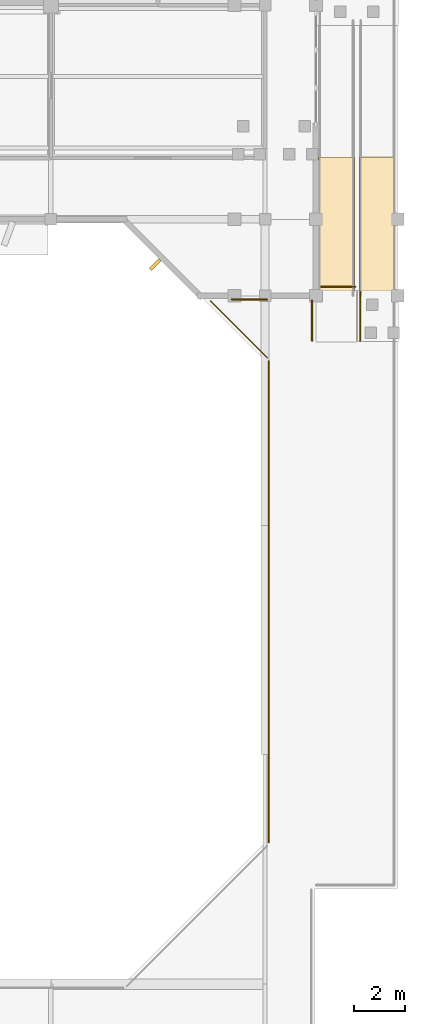
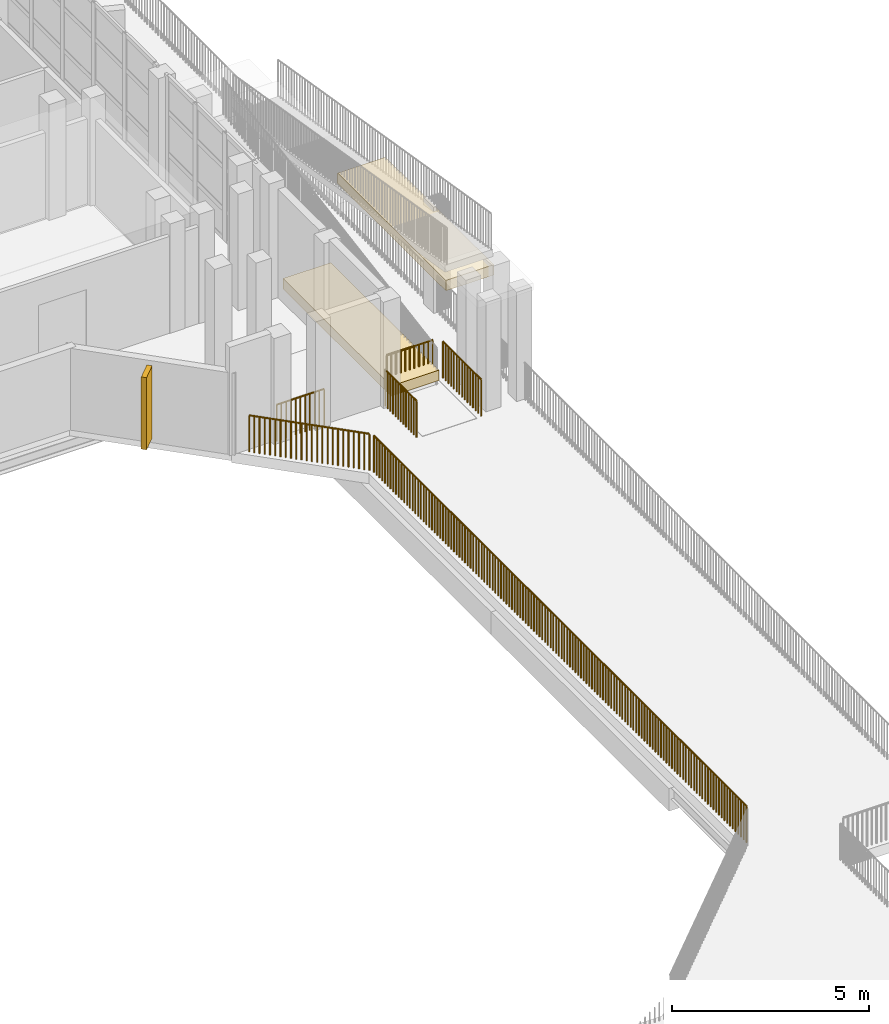
# One storey, part 39 of 42: 6 railings, 2 coverings, 1 shading device.
"""IFC4 building model written with IfcOpenShell, lengths in metres."""

from ifc_helpers import new_model, si_unit, direction, frame, origin, origin_2d, place, context, subcontext, project, spatial, rectangle, circle, extrude, material, layer, layer_set, type_object, element, save


model = new_model("IFC4")

# Units and contexts
model_context = context("Model", 3, precision=1e-05, world=origin(), true_north=direction((0.0, 1.0)))
body_context = subcontext(model_context, "Body", "Model", "MODEL_VIEW")
ifc_project = project(units=[si_unit("LENGTHUNIT", "METRE"), si_unit("AREAUNIT", "SQUARE_METRE"), si_unit("VOLUMEUNIT", "CUBIC_METRE"), si_unit("PLANEANGLEUNIT", "RADIAN"), si_unit("MASSUNIT", "GRAM", prefix="KILO")], contexts=[model_context])

# Site, building, storey
site_placement = place(None, origin())
site = spatial("IfcSite", under=ifc_project, at=site_placement, CompositionType="ELEMENT")
building_placement = place(site_placement, origin())
building = spatial("IfcBuilding", under=site, at=building_placement, Name="Vanh Quang Courtyard School", CompositionType="ELEMENT")
storey_placement = place(building_placement, frame((0.0, 0.0, 15.0)))
storey = spatial("IfcBuildingStorey", under=building, at=storey_placement, Name="L04", CompositionType="ELEMENT", Elevation=15.0)

# Coverings
ifc_material_1 = material(Name="Board-marked precast concrete C40/50", Category="concrete")
ifc_layer = layer(ifc_material_1, 0.239990234375)
ifc_layer_set = layer_set([ifc_layer], Name="Board-marked precast concrete C40/50")
covering_type = type_object("IfcCoveringType", Name="COV-HOOD-CONC", PredefinedType="CLADDING", material=ifc_layer_set)
for number, where, z_axis, x_axis, name in (
    (1, (113.800048828125, 71.10009765625, 0.1298828125), (0.0, 0.0, 1.0), (1.0, 0.0, 0.0), "Covering CH-01 (L04)"),
    (2, (115.39990234375, 71.10009765625, 2.830078125), (0.0, 0.0, 1.0), (1.0, 0.0, 0.0), "Covering CH-01 (L04)"),
):
    element("IfcCovering", number, at=place(storey_placement, frame(where, z_axis=z_axis, x_axis=x_axis)), inside=storey, type_object=covering_type, Name=name, PredefinedType="CLADDING", context=body_context, shape_type="SweptSolid", body=[
        extrude(rectangle(XDim=1.39990234375, YDim=5.47998046875, at=origin_2d()), origin(), (0.0, 0.0, 1.0), 0.320068359375),
    ])

# Railings
ifc_material_2 = material(Name="Galvanised painted steel EN 10025-2 S355J2", Category="steel")
railing_type = type_object("IfcRailingType", Name="RAIL-GUARD-1150", PredefinedType="BALUSTRADE", material=ifc_material_2)
railing_1_placement = place(storey_placement, frame((111.139892578125, 46.964599609375, 0.0)))
element("IfcRailing", 3, at=railing_1_placement, inside=storey, type_object=railing_type, Name="Railing GR-01 (L04)", PredefinedType="BALUSTRADE", context=body_context, shape_type="SweptSolid", body=[
    extrude(circle(Radius=0.02392578125, at=origin_2d()), frame((0.0, 0.0, 1.1259765625), z_axis=(0.0, 1.0, 0.0), x_axis=(-1.0, 0.0, 0.0)), (0.0, 0.0, 1.0), 18.87060546875),
    extrude(circle(Radius=0.02099609375, at=origin_2d()), origin(), (0.0, 0.0, 1.0), 1.101806640625),
    extrude(circle(Radius=0.02099609375, at=origin_2d()), frame((0.0, 0.139892578125, 0.0)), (0.0, 0.0, 1.0), 1.101806640625),
    extrude(circle(Radius=0.02099609375, at=origin_2d()), frame((0.0, 0.279541015625, 0.0)), (0.0, 0.0, 1.0), 1.101806640625),
    extrude(circle(Radius=0.02099609375, at=origin_2d()), frame((0.0, 0.41943359375, 0.0)), (0.0, 0.0, 1.0), 1.101806640625),
    extrude(circle(Radius=0.02099609375, at=origin_2d()), frame((0.0, 0.55908203125, 0.0)), (0.0, 0.0, 1.0), 1.101806640625),
    extrude(circle(Radius=0.02099609375, at=origin_2d()), frame((0.0, 0.698974609375, 0.0)), (0.0, 0.0, 1.0), 1.101806640625),
    extrude(circle(Radius=0.02099609375, at=origin_2d()), frame((0.0, 0.838623046875, 0.0)), (0.0, 0.0, 1.0), 1.101806640625),
    extrude(circle(Radius=0.02099609375, at=origin_2d()), frame((0.0, 0.978515625, 0.0)), (0.0, 0.0, 1.0), 1.101806640625),
    extrude(circle(Radius=0.02099609375, at=origin_2d()), frame((0.0, 1.1181640625, 0.0)), (0.0, 0.0, 1.0), 1.101806640625),
    extrude(circle(Radius=0.02099609375, at=origin_2d()), frame((0.0, 1.258056640625, 0.0)), (0.0, 0.0, 1.0), 1.101806640625),
    extrude(circle(Radius=0.02099609375, at=origin_2d()), frame((0.0, 1.397705078125, 0.0)), (0.0, 0.0, 1.0), 1.101806640625),
    extrude(circle(Radius=0.02099609375, at=origin_2d()), frame((0.0, 1.53759765625, 0.0)), (0.0, 0.0, 1.0), 1.101806640625),
    extrude(circle(Radius=0.02099609375, at=origin_2d()), frame((0.0, 1.677490234375, 0.0)), (0.0, 0.0, 1.0), 1.101806640625),
    extrude(circle(Radius=0.02099609375, at=origin_2d()), frame((0.0, 1.817138671875, 0.0)), (0.0, 0.0, 1.0), 1.101806640625),
    extrude(circle(Radius=0.02099609375, at=origin_2d()), frame((0.0, 1.95703125, 0.0)), (0.0, 0.0, 1.0), 1.101806640625),
    extrude(circle(Radius=0.02099609375, at=origin_2d()), frame((0.0, 2.0966796875, 0.0)), (0.0, 0.0, 1.0), 1.101806640625),
    extrude(circle(Radius=0.02099609375, at=origin_2d()), frame((0.0, 2.236572265625, 0.0)), (0.0, 0.0, 1.0), 1.101806640625),
    extrude(circle(Radius=0.02099609375, at=origin_2d()), frame((0.0, 2.376220703125, 0.0)), (0.0, 0.0, 1.0), 1.101806640625),
    extrude(circle(Radius=0.02099609375, at=origin_2d()), frame((0.0, 2.51611328125, 0.0)), (0.0, 0.0, 1.0), 1.101806640625),
    extrude(circle(Radius=0.02099609375, at=origin_2d()), frame((0.0, 2.65576171875, 0.0)), (0.0, 0.0, 1.0), 1.101806640625),
    extrude(circle(Radius=0.02099609375, at=origin_2d()), frame((0.0, 2.795654296875, 0.0)), (0.0, 0.0, 1.0), 1.101806640625),
    extrude(circle(Radius=0.02099609375, at=origin_2d()), frame((0.0, 2.935546875, 0.0)), (0.0, 0.0, 1.0), 1.101806640625),
    extrude(circle(Radius=0.02099609375, at=origin_2d()), frame((0.0, 3.0751953125, 0.0)), (0.0, 0.0, 1.0), 1.101806640625),
    extrude(circle(Radius=0.02099609375, at=origin_2d()), frame((0.0, 3.215087890625, 0.0)), (0.0, 0.0, 1.0), 1.101806640625),
    extrude(circle(Radius=0.02099609375, at=origin_2d()), frame((0.0, 3.354736328125, 0.0)), (0.0, 0.0, 1.0), 1.101806640625),
    extrude(circle(Radius=0.02099609375, at=origin_2d()), frame((0.0, 3.49462890625, 0.0)), (0.0, 0.0, 1.0), 1.101806640625),
    extrude(circle(Radius=0.02099609375, at=origin_2d()), frame((0.0, 3.63427734375, 0.0)), (0.0, 0.0, 1.0), 1.101806640625),
    extrude(circle(Radius=0.02099609375, at=origin_2d()), frame((0.0, 3.774169921875, 0.0)), (0.0, 0.0, 1.0), 1.101806640625),
    extrude(circle(Radius=0.02099609375, at=origin_2d()), frame((0.0, 3.913818359375, 0.0)), (0.0, 0.0, 1.0), 1.101806640625),
    extrude(circle(Radius=0.02099609375, at=origin_2d()), frame((0.0, 4.0537109375, 0.0)), (0.0, 0.0, 1.0), 1.101806640625),
    extrude(circle(Radius=0.02099609375, at=origin_2d()), frame((0.0, 4.193359375, 0.0)), (0.0, 0.0, 1.0), 1.101806640625),
    extrude(circle(Radius=0.02099609375, at=origin_2d()), frame((0.0, 4.333251953125, 0.0)), (0.0, 0.0, 1.0), 1.101806640625),
    extrude(circle(Radius=0.02099609375, at=origin_2d()), frame((0.0, 4.47314453125, 0.0)), (0.0, 0.0, 1.0), 1.101806640625),
    extrude(circle(Radius=0.02099609375, at=origin_2d()), frame((0.0, 4.61279296875, 0.0)), (0.0, 0.0, 1.0), 1.101806640625),
    extrude(circle(Radius=0.02099609375, at=origin_2d()), frame((0.0, 4.752685546875, 0.0)), (0.0, 0.0, 1.0), 1.101806640625),
    extrude(circle(Radius=0.02099609375, at=origin_2d()), frame((0.0, 4.892333984375, 0.0)), (0.0, 0.0, 1.0), 1.101806640625),
    extrude(circle(Radius=0.02099609375, at=origin_2d()), frame((0.0, 5.0322265625, 0.0)), (0.0, 0.0, 1.0), 1.101806640625),
    extrude(circle(Radius=0.02099609375, at=origin_2d()), frame((0.0, 5.171875, 0.0)), (0.0, 0.0, 1.0), 1.101806640625),
    extrude(circle(Radius=0.02099609375, at=origin_2d()), frame((0.0, 5.311767578125, 0.0)), (0.0, 0.0, 1.0), 1.101806640625),
    extrude(circle(Radius=0.02099609375, at=origin_2d()), frame((0.0, 5.451416015625, 0.0)), (0.0, 0.0, 1.0), 1.101806640625),
    extrude(circle(Radius=0.02099609375, at=origin_2d()), frame((0.0, 5.59130859375, 0.0)), (0.0, 0.0, 1.0), 1.101806640625),
    extrude(circle(Radius=0.02099609375, at=origin_2d()), frame((0.0, 5.73095703125, 0.0)), (0.0, 0.0, 1.0), 1.101806640625),
    extrude(circle(Radius=0.02099609375, at=origin_2d()), frame((0.0, 5.870849609375, 0.0)), (0.0, 0.0, 1.0), 1.101806640625),
    extrude(circle(Radius=0.02099609375, at=origin_2d()), frame((0.0, 6.0107421875, 0.0)), (0.0, 0.0, 1.0), 1.101806640625),
    extrude(circle(Radius=0.02099609375, at=origin_2d()), frame((0.0, 6.150390625, 0.0)), (0.0, 0.0, 1.0), 1.101806640625),
    extrude(circle(Radius=0.02099609375, at=origin_2d()), frame((0.0, 6.290283203125, 0.0)), (0.0, 0.0, 1.0), 1.101806640625),
    extrude(circle(Radius=0.02099609375, at=origin_2d()), frame((0.0, 6.429931640625, 0.0)), (0.0, 0.0, 1.0), 1.101806640625),
    extrude(circle(Radius=0.02099609375, at=origin_2d()), frame((0.0, 6.56982421875, 0.0)), (0.0, 0.0, 1.0), 1.101806640625),
    extrude(circle(Radius=0.02099609375, at=origin_2d()), frame((0.0, 6.70947265625, 0.0)), (0.0, 0.0, 1.0), 1.101806640625),
    extrude(circle(Radius=0.02099609375, at=origin_2d()), frame((0.0, 6.849365234375, 0.0)), (0.0, 0.0, 1.0), 1.101806640625),
    extrude(circle(Radius=0.02099609375, at=origin_2d()), frame((0.0, 6.989013671875, 0.0)), (0.0, 0.0, 1.0), 1.101806640625),
    extrude(circle(Radius=0.02099609375, at=origin_2d()), frame((0.0, 7.12890625, 0.0)), (0.0, 0.0, 1.0), 1.101806640625),
    extrude(circle(Radius=0.02099609375, at=origin_2d()), frame((0.0, 7.268798828125, 0.0)), (0.0, 0.0, 1.0), 1.101806640625),
    extrude(circle(Radius=0.02099609375, at=origin_2d()), frame((0.0, 7.408447265625, 0.0)), (0.0, 0.0, 1.0), 1.101806640625),
    extrude(circle(Radius=0.02099609375, at=origin_2d()), frame((0.0, 7.54833984375, 0.0)), (0.0, 0.0, 1.0), 1.101806640625),
    extrude(circle(Radius=0.02099609375, at=origin_2d()), frame((0.0, 7.68798828125, 0.0)), (0.0, 0.0, 1.0), 1.101806640625),
    extrude(circle(Radius=0.02099609375, at=origin_2d()), frame((0.0, 7.827880859375, 0.0)), (0.0, 0.0, 1.0), 1.101806640625),
    extrude(circle(Radius=0.02099609375, at=origin_2d()), frame((0.0, 7.967529296875, 0.0)), (0.0, 0.0, 1.0), 1.101806640625),
    extrude(circle(Radius=0.02099609375, at=origin_2d()), frame((0.0, 8.107421875, 0.0)), (0.0, 0.0, 1.0), 1.101806640625),
    extrude(circle(Radius=0.02099609375, at=origin_2d()), frame((0.0, 8.2470703125, 0.0)), (0.0, 0.0, 1.0), 1.101806640625),
    extrude(circle(Radius=0.02099609375, at=origin_2d()), frame((0.0, 8.386962890625, 0.0)), (0.0, 0.0, 1.0), 1.101806640625),
    extrude(circle(Radius=0.02099609375, at=origin_2d()), frame((0.0, 8.526611328125, 0.0)), (0.0, 0.0, 1.0), 1.101806640625),
    extrude(circle(Radius=0.02099609375, at=origin_2d()), frame((0.0, 8.66650390625, 0.0)), (0.0, 0.0, 1.0), 1.101806640625),
    extrude(circle(Radius=0.02099609375, at=origin_2d()), frame((0.0, 8.806396484375, 0.0)), (0.0, 0.0, 1.0), 1.101806640625),
    extrude(circle(Radius=0.02099609375, at=origin_2d()), frame((0.0, 8.946044921875, 0.0)), (0.0, 0.0, 1.0), 1.101806640625),
    extrude(circle(Radius=0.02099609375, at=origin_2d()), frame((0.0, 9.0859375, 0.0)), (0.0, 0.0, 1.0), 1.101806640625),
    extrude(circle(Radius=0.02099609375, at=origin_2d()), frame((0.0, 9.2255859375, 0.0)), (0.0, 0.0, 1.0), 1.101806640625),
    extrude(circle(Radius=0.02099609375, at=origin_2d()), frame((0.0, 9.365478515625, 0.0)), (0.0, 0.0, 1.0), 1.101806640625),
    extrude(circle(Radius=0.02099609375, at=origin_2d()), frame((0.0, 9.505126953125, 0.0)), (0.0, 0.0, 1.0), 1.101806640625),
    extrude(circle(Radius=0.02099609375, at=origin_2d()), frame((0.0, 9.64501953125, 0.0)), (0.0, 0.0, 1.0), 1.101806640625),
    extrude(circle(Radius=0.02099609375, at=origin_2d()), frame((0.0, 9.78466796875, 0.0)), (0.0, 0.0, 1.0), 1.101806640625),
    extrude(circle(Radius=0.02099609375, at=origin_2d()), frame((0.0, 9.924560546875, 0.0)), (0.0, 0.0, 1.0), 1.101806640625),
    extrude(circle(Radius=0.02099609375, at=origin_2d()), frame((0.0, 10.064208984375, 0.0)), (0.0, 0.0, 1.0), 1.101806640625),
    extrude(circle(Radius=0.02099609375, at=origin_2d()), frame((0.0, 10.2041015625, 0.0)), (0.0, 0.0, 1.0), 1.101806640625),
    extrude(circle(Radius=0.02099609375, at=origin_2d()), frame((0.0, 10.343994140625, 0.0)), (0.0, 0.0, 1.0), 1.101806640625),
    extrude(circle(Radius=0.02099609375, at=origin_2d()), frame((0.0, 10.483642578125, 0.0)), (0.0, 0.0, 1.0), 1.101806640625),
    extrude(circle(Radius=0.02099609375, at=origin_2d()), frame((0.0, 10.62353515625, 0.0)), (0.0, 0.0, 1.0), 1.101806640625),
    extrude(circle(Radius=0.02099609375, at=origin_2d()), frame((0.0, 10.76318359375, 0.0)), (0.0, 0.0, 1.0), 1.101806640625),
    extrude(circle(Radius=0.02099609375, at=origin_2d()), frame((0.0, 10.903076171875, 0.0)), (0.0, 0.0, 1.0), 1.101806640625),
    extrude(circle(Radius=0.02099609375, at=origin_2d()), frame((0.0, 11.042724609375, 0.0)), (0.0, 0.0, 1.0), 1.101806640625),
    extrude(circle(Radius=0.02099609375, at=origin_2d()), frame((0.0, 11.1826171875, 0.0)), (0.0, 0.0, 1.0), 1.101806640625),
    extrude(circle(Radius=0.02099609375, at=origin_2d()), frame((0.0, 11.322265625, 0.0)), (0.0, 0.0, 1.0), 1.101806640625),
    extrude(circle(Radius=0.02099609375, at=origin_2d()), frame((0.0, 11.462158203125, 0.0)), (0.0, 0.0, 1.0), 1.101806640625),
    extrude(circle(Radius=0.02099609375, at=origin_2d()), frame((0.0, 11.601806640625, 0.0)), (0.0, 0.0, 1.0), 1.101806640625),
    extrude(circle(Radius=0.02099609375, at=origin_2d()), frame((0.0, 11.74169921875, 0.0)), (0.0, 0.0, 1.0), 1.101806640625),
    extrude(circle(Radius=0.02099609375, at=origin_2d()), frame((0.0, 11.881591796875, 0.0)), (0.0, 0.0, 1.0), 1.101806640625),
    extrude(circle(Radius=0.02099609375, at=origin_2d()), frame((0.0, 12.021240234375, 0.0)), (0.0, 0.0, 1.0), 1.101806640625),
    extrude(circle(Radius=0.02099609375, at=origin_2d()), frame((0.0, 12.1611328125, 0.0)), (0.0, 0.0, 1.0), 1.101806640625),
    extrude(circle(Radius=0.02099609375, at=origin_2d()), frame((0.0, 12.30078125, 0.0)), (0.0, 0.0, 1.0), 1.101806640625),
    extrude(circle(Radius=0.02099609375, at=origin_2d()), frame((0.0, 12.440673828125, 0.0)), (0.0, 0.0, 1.0), 1.101806640625),
    extrude(circle(Radius=0.02099609375, at=origin_2d()), frame((0.0, 12.580322265625, 0.0)), (0.0, 0.0, 1.0), 1.101806640625),
    extrude(circle(Radius=0.02099609375, at=origin_2d()), frame((0.0, 12.72021484375, 0.0)), (0.0, 0.0, 1.0), 1.101806640625),
    extrude(circle(Radius=0.02099609375, at=origin_2d()), frame((0.0, 12.85986328125, 0.0)), (0.0, 0.0, 1.0), 1.101806640625),
    extrude(circle(Radius=0.02099609375, at=origin_2d()), frame((0.0, 12.999755859375, 0.0)), (0.0, 0.0, 1.0), 1.101806640625),
    extrude(circle(Radius=0.02099609375, at=origin_2d()), frame((0.0, 13.1396484375, 0.0)), (0.0, 0.0, 1.0), 1.101806640625),
    extrude(circle(Radius=0.02099609375, at=origin_2d()), frame((0.0, 13.279296875, 0.0)), (0.0, 0.0, 1.0), 1.101806640625),
    extrude(circle(Radius=0.02099609375, at=origin_2d()), frame((0.0, 13.419189453125, 0.0)), (0.0, 0.0, 1.0), 1.101806640625),
    extrude(circle(Radius=0.02099609375, at=origin_2d()), frame((0.0, 13.558837890625, 0.0)), (0.0, 0.0, 1.0), 1.101806640625),
    extrude(circle(Radius=0.02099609375, at=origin_2d()), frame((0.0, 13.69873046875, 0.0)), (0.0, 0.0, 1.0), 1.101806640625),
    extrude(circle(Radius=0.02099609375, at=origin_2d()), frame((0.0, 13.83837890625, 0.0)), (0.0, 0.0, 1.0), 1.101806640625),
    extrude(circle(Radius=0.02099609375, at=origin_2d()), frame((0.0, 13.978271484375, 0.0)), (0.0, 0.0, 1.0), 1.101806640625),
    extrude(circle(Radius=0.02099609375, at=origin_2d()), frame((0.0, 14.117919921875, 0.0)), (0.0, 0.0, 1.0), 1.101806640625),
    extrude(circle(Radius=0.02099609375, at=origin_2d()), frame((0.0, 14.2578125, 0.0)), (0.0, 0.0, 1.0), 1.101806640625),
    extrude(circle(Radius=0.02099609375, at=origin_2d()), frame((0.0, 14.3974609375, 0.0)), (0.0, 0.0, 1.0), 1.101806640625),
    extrude(circle(Radius=0.02099609375, at=origin_2d()), frame((0.0, 14.537353515625, 0.0)), (0.0, 0.0, 1.0), 1.101806640625),
    extrude(circle(Radius=0.02099609375, at=origin_2d()), frame((0.0, 14.67724609375, 0.0)), (0.0, 0.0, 1.0), 1.101806640625),
    extrude(circle(Radius=0.02099609375, at=origin_2d()), frame((0.0, 14.81689453125, 0.0)), (0.0, 0.0, 1.0), 1.101806640625),
    extrude(circle(Radius=0.02099609375, at=origin_2d()), frame((0.0, 14.956787109375, 0.0)), (0.0, 0.0, 1.0), 1.101806640625),
    extrude(circle(Radius=0.02099609375, at=origin_2d()), frame((0.0, 15.096435546875, 0.0)), (0.0, 0.0, 1.0), 1.101806640625),
    extrude(circle(Radius=0.02099609375, at=origin_2d()), frame((0.0, 15.236328125, 0.0)), (0.0, 0.0, 1.0), 1.101806640625),
    extrude(circle(Radius=0.02099609375, at=origin_2d()), frame((0.0, 15.3759765625, 0.0)), (0.0, 0.0, 1.0), 1.101806640625),
    extrude(circle(Radius=0.02099609375, at=origin_2d()), frame((0.0, 15.515869140625, 0.0)), (0.0, 0.0, 1.0), 1.101806640625),
    extrude(circle(Radius=0.02099609375, at=origin_2d()), frame((0.0, 15.655517578125, 0.0)), (0.0, 0.0, 1.0), 1.101806640625),
    extrude(circle(Radius=0.02099609375, at=origin_2d()), frame((0.0, 15.79541015625, 0.0)), (0.0, 0.0, 1.0), 1.101806640625),
    extrude(circle(Radius=0.02099609375, at=origin_2d()), frame((0.0, 15.93505859375, 0.0)), (0.0, 0.0, 1.0), 1.101806640625),
    extrude(circle(Radius=0.02099609375, at=origin_2d()), frame((0.0, 16.074951171875, 0.0)), (0.0, 0.0, 1.0), 1.101806640625),
    extrude(circle(Radius=0.02099609375, at=origin_2d()), frame((0.0, 16.21484375, 0.0)), (0.0, 0.0, 1.0), 1.101806640625),
    extrude(circle(Radius=0.02099609375, at=origin_2d()), frame((0.0, 16.3544921875, 0.0)), (0.0, 0.0, 1.0), 1.101806640625),
    extrude(circle(Radius=0.02099609375, at=origin_2d()), frame((0.0, 16.494384765625, 0.0)), (0.0, 0.0, 1.0), 1.101806640625),
    extrude(circle(Radius=0.02099609375, at=origin_2d()), frame((0.0, 16.634033203125, 0.0)), (0.0, 0.0, 1.0), 1.101806640625),
    extrude(circle(Radius=0.02099609375, at=origin_2d()), frame((0.0, 16.77392578125, 0.0)), (0.0, 0.0, 1.0), 1.101806640625),
    extrude(circle(Radius=0.02099609375, at=origin_2d()), frame((0.0, 16.91357421875, 0.0)), (0.0, 0.0, 1.0), 1.101806640625),
    extrude(circle(Radius=0.02099609375, at=origin_2d()), frame((0.0, 17.053466796875, 0.0)), (0.0, 0.0, 1.0), 1.101806640625),
    extrude(circle(Radius=0.02099609375, at=origin_2d()), frame((0.0, 17.193115234375, 0.0)), (0.0, 0.0, 1.0), 1.101806640625),
    extrude(circle(Radius=0.02099609375, at=origin_2d()), frame((0.0, 17.3330078125, 0.0)), (0.0, 0.0, 1.0), 1.101806640625),
    extrude(circle(Radius=0.02099609375, at=origin_2d()), frame((0.0, 17.472900390625, 0.0)), (0.0, 0.0, 1.0), 1.101806640625),
    extrude(circle(Radius=0.02099609375, at=origin_2d()), frame((0.0, 17.612548828125, 0.0)), (0.0, 0.0, 1.0), 1.101806640625),
    extrude(circle(Radius=0.02099609375, at=origin_2d()), frame((0.0, 17.75244140625, 0.0)), (0.0, 0.0, 1.0), 1.101806640625),
    extrude(circle(Radius=0.02099609375, at=origin_2d()), frame((0.0, 17.89208984375, 0.0)), (0.0, 0.0, 1.0), 1.101806640625),
    extrude(circle(Radius=0.02099609375, at=origin_2d()), frame((0.0, 18.031982421875, 0.0)), (0.0, 0.0, 1.0), 1.101806640625),
    extrude(circle(Radius=0.02099609375, at=origin_2d()), frame((0.0, 18.171630859375, 0.0)), (0.0, 0.0, 1.0), 1.101806640625),
    extrude(circle(Radius=0.02099609375, at=origin_2d()), frame((0.0, 18.3115234375, 0.0)), (0.0, 0.0, 1.0), 1.101806640625),
    extrude(circle(Radius=0.02099609375, at=origin_2d()), frame((0.0, 18.451171875, 0.0)), (0.0, 0.0, 1.0), 1.101806640625),
    extrude(circle(Radius=0.02099609375, at=origin_2d()), frame((0.0, 18.591064453125, 0.0)), (0.0, 0.0, 1.0), 1.101806640625),
    extrude(circle(Radius=0.02099609375, at=origin_2d()), frame((0.0, 18.730712890625, 0.0)), (0.0, 0.0, 1.0), 1.101806640625),
    extrude(circle(Radius=0.02099609375, at=origin_2d()), frame((0.0, 18.87060546875, 0.0)), (0.0, 0.0, 1.0), 1.101806640625),
])
railing_2_placement = place(storey_placement, frame((111.08447265625, 65.969482421875, 0.0)))
element("IfcRailing", 4, at=railing_2_placement, inside=storey, type_object=railing_type, Name="Railing GR-01 (L04)", PredefinedType="BALUSTRADE", context=body_context, shape_type="SweptSolid", body=[
    extrude(circle(Radius=0.02392578125, at=origin_2d()), frame((0.0, 0.0, 1.1259765625), z_axis=(-0.707106781187, 0.707106781187, 0.0), x_axis=(-0.707106781187, -0.707106781187, 0.0)), (0.0, 0.0, 1.0), 3.154296875),
    extrude(circle(Radius=0.02099609375, at=origin_2d()), origin(), (0.0, 0.0, 1.0), 1.101806640625),
    extrude(circle(Radius=0.02099609375, at=origin_2d()), frame((-0.096923828125, 0.096923828125, 0.0)), (0.0, 0.0, 1.0), 1.101806640625),
    extrude(circle(Radius=0.02099609375, at=origin_2d()), frame((-0.19384765625, 0.19384765625, 0.0)), (0.0, 0.0, 1.0), 1.101806640625),
    extrude(circle(Radius=0.02099609375, at=origin_2d()), frame((-0.291015625, 0.291015625, 0.0)), (0.0, 0.0, 1.0), 1.101806640625),
    extrude(circle(Radius=0.02099609375, at=origin_2d()), frame((-0.387939453125, 0.387939453125, 0.0)), (0.0, 0.0, 1.0), 1.101806640625),
    extrude(circle(Radius=0.02099609375, at=origin_2d()), frame((-0.48486328125, 0.48486328125, 0.0)), (0.0, 0.0, 1.0), 1.101806640625),
    extrude(circle(Radius=0.02099609375, at=origin_2d()), frame((-0.581787109375, 0.581787109375, 0.0)), (0.0, 0.0, 1.0), 1.101806640625),
    extrude(circle(Radius=0.02099609375, at=origin_2d()), frame((-0.678955078125, 0.678955078125, 0.0)), (0.0, 0.0, 1.0), 1.101806640625),
    extrude(circle(Radius=0.02099609375, at=origin_2d()), frame((-0.77587890625, 0.77587890625, 0.0)), (0.0, 0.0, 1.0), 1.101806640625),
    extrude(circle(Radius=0.02099609375, at=origin_2d()), frame((-0.872802734375, 0.872802734375, 0.0)), (0.0, 0.0, 1.0), 1.101806640625),
    extrude(circle(Radius=0.02099609375, at=origin_2d()), frame((-0.9697265625, 0.9697265625, 0.0)), (0.0, 0.0, 1.0), 1.101806640625),
    extrude(circle(Radius=0.02099609375, at=origin_2d()), frame((-1.066650390625, 1.066650390625, 0.0)), (0.0, 0.0, 1.0), 1.101806640625),
    extrude(circle(Radius=0.02099609375, at=origin_2d()), frame((-1.163818359375, 1.163818359375, 0.0)), (0.0, 0.0, 1.0), 1.101806640625),
    extrude(circle(Radius=0.02099609375, at=origin_2d()), frame((-1.2607421875, 1.2607421875, 0.0)), (0.0, 0.0, 1.0), 1.101806640625),
    extrude(circle(Radius=0.02099609375, at=origin_2d()), frame((-1.357666015625, 1.357666015625, 0.0)), (0.0, 0.0, 1.0), 1.101806640625),
    extrude(circle(Radius=0.02099609375, at=origin_2d()), frame((-1.45458984375, 1.45458984375, 0.0)), (0.0, 0.0, 1.0), 1.101806640625),
    extrude(circle(Radius=0.02099609375, at=origin_2d()), frame((-1.551513671875, 1.551513671875, 0.0)), (0.0, 0.0, 1.0), 1.101806640625),
    extrude(circle(Radius=0.02099609375, at=origin_2d()), frame((-1.648681640625, 1.648681640625, 0.0)), (0.0, 0.0, 1.0), 1.101806640625),
    extrude(circle(Radius=0.02099609375, at=origin_2d()), frame((-1.74560546875, 1.74560546875, 0.0)), (0.0, 0.0, 1.0), 1.101806640625),
    extrude(circle(Radius=0.02099609375, at=origin_2d()), frame((-1.842529296875, 1.842529296875, 0.0)), (0.0, 0.0, 1.0), 1.101806640625),
    extrude(circle(Radius=0.02099609375, at=origin_2d()), frame((-1.939453125, 1.939453125, 0.0)), (0.0, 0.0, 1.0), 1.101806640625),
    extrude(circle(Radius=0.02099609375, at=origin_2d()), frame((-2.03662109375, 2.03662109375, 0.0)), (0.0, 0.0, 1.0), 1.101806640625),
    extrude(circle(Radius=0.02099609375, at=origin_2d()), frame((-2.133544921875, 2.133544921875, 0.0)), (0.0, 0.0, 1.0), 1.101806640625),
    extrude(circle(Radius=0.02099609375, at=origin_2d()), frame((-2.23046875, 2.23046875, 0.0)), (0.0, 0.0, 1.0), 1.101806640625),
])
railing_3_placement = place(storey_placement, frame((109.694091796875, 68.259521484375, 0.0)))
element("IfcRailing", 5, at=railing_3_placement, inside=storey, type_object=railing_type, Name="Railing GR-01 (L04)", PredefinedType="BALUSTRADE", context=body_context, shape_type="SweptSolid", body=[
    extrude(circle(Radius=0.02392578125, at=origin_2d()), frame((0.0, 0.0, 1.1259765625), z_axis=(1.0, 0.0, 0.0), x_axis=(0.0, 1.0, 0.0)), (0.0, 0.0, 1.0), 1.386474609375),
    extrude(circle(Radius=0.02099609375, at=origin_2d()), origin(), (0.0, 0.0, 1.0), 1.101806640625),
    extrude(circle(Radius=0.02099609375, at=origin_2d()), frame((0.138671875, 0.0, 0.0)), (0.0, 0.0, 1.0), 1.101806640625),
    extrude(circle(Radius=0.02099609375, at=origin_2d()), frame((0.27734375, 0.0, 0.0)), (0.0, 0.0, 1.0), 1.101806640625),
    extrude(circle(Radius=0.02099609375, at=origin_2d()), frame((0.416015625, 0.0, 0.0)), (0.0, 0.0, 1.0), 1.101806640625),
    extrude(circle(Radius=0.02099609375, at=origin_2d()), frame((0.5546875, 0.0, 0.0)), (0.0, 0.0, 1.0), 1.101806640625),
    extrude(circle(Radius=0.02099609375, at=origin_2d()), frame((0.693359375, 0.0, 0.0)), (0.0, 0.0, 1.0), 1.101806640625),
    extrude(circle(Radius=0.02099609375, at=origin_2d()), frame((0.831787109375, 0.0, 0.0)), (0.0, 0.0, 1.0), 1.101806640625),
    extrude(circle(Radius=0.02099609375, at=origin_2d()), frame((0.970458984375, 0.0, 0.0)), (0.0, 0.0, 1.0), 1.101806640625),
    extrude(circle(Radius=0.02099609375, at=origin_2d()), frame((1.109130859375, 0.0, 0.0)), (0.0, 0.0, 1.0), 1.101806640625),
    extrude(circle(Radius=0.02099609375, at=origin_2d()), frame((1.247802734375, 0.0, 0.0)), (0.0, 0.0, 1.0), 1.101806640625),
    extrude(circle(Radius=0.02099609375, at=origin_2d()), frame((1.386474609375, 0.0, 0.0)), (0.0, 0.0, 1.0), 1.101806640625),
])
railing_4_placement = place(storey_placement, frame((112.844970703125, 68.222900390625, 0.0)))
element("IfcRailing", 6, at=railing_4_placement, inside=storey, type_object=railing_type, Name="Railing GR-01 (L04)", PredefinedType="BALUSTRADE", context=body_context, shape_type="SweptSolid", body=[
    extrude(circle(Radius=0.02392578125, at=origin_2d()), frame((0.0, 0.0, 1.1259765625), z_axis=(0.0, -1.0, 0.0), x_axis=(1.0, 0.0, 0.0)), (0.0, 0.0, 1.0), 1.587890625),
    extrude(circle(Radius=0.02099609375, at=origin_2d()), origin(), (0.0, 0.0, 1.0), 1.101806640625),
    extrude(circle(Radius=0.02099609375, at=origin_2d()), frame((0.0, -0.13232421875, 0.0)), (0.0, 0.0, 1.0), 1.101806640625),
    extrude(circle(Radius=0.02099609375, at=origin_2d()), frame((0.0, -0.2646484375, 0.0)), (0.0, 0.0, 1.0), 1.101806640625),
    extrude(circle(Radius=0.02099609375, at=origin_2d()), frame((0.0, -0.39697265625, 0.0)), (0.0, 0.0, 1.0), 1.101806640625),
    extrude(circle(Radius=0.02099609375, at=origin_2d()), frame((0.0, -0.529296875, 0.0)), (0.0, 0.0, 1.0), 1.101806640625),
    extrude(circle(Radius=0.02099609375, at=origin_2d()), frame((0.0, -0.66162109375, 0.0)), (0.0, 0.0, 1.0), 1.101806640625),
    extrude(circle(Radius=0.02099609375, at=origin_2d()), frame((0.0, -0.7939453125, 0.0)), (0.0, 0.0, 1.0), 1.101806640625),
    extrude(circle(Radius=0.02099609375, at=origin_2d()), frame((0.0, -0.92626953125, 0.0)), (0.0, 0.0, 1.0), 1.101806640625),
    extrude(circle(Radius=0.02099609375, at=origin_2d()), frame((0.0, -1.05859375, 0.0)), (0.0, 0.0, 1.0), 1.101806640625),
    extrude(circle(Radius=0.02099609375, at=origin_2d()), frame((0.0, -1.19091796875, 0.0)), (0.0, 0.0, 1.0), 1.101806640625),
    extrude(circle(Radius=0.02099609375, at=origin_2d()), frame((0.0, -1.3232421875, 0.0)), (0.0, 0.0, 1.0), 1.101806640625),
    extrude(circle(Radius=0.02099609375, at=origin_2d()), frame((0.0, -1.45556640625, 0.0)), (0.0, 0.0, 1.0), 1.101806640625),
    extrude(circle(Radius=0.02099609375, at=origin_2d()), frame((0.0, -1.587890625, 0.0)), (0.0, 0.0, 1.0), 1.101806640625),
])
railing_5_placement = place(storey_placement, frame((114.734375, 66.635009765625, 0.0)))
element("IfcRailing", 7, at=railing_5_placement, inside=storey, type_object=railing_type, Name="Railing GR-01 (L04)", PredefinedType="BALUSTRADE", context=body_context, shape_type="SweptSolid", body=[
    extrude(circle(Radius=0.02392578125, at=origin_2d()), frame((0.0, 0.0, 1.1259765625), z_axis=(0.000379506614, 0.999999927987, 0.0), x_axis=(-0.999999927987, 0.000379506614, 0.0)), (0.0, 0.0, 1.0), 1.929931640625),
    extrude(circle(Radius=0.02099609375, at=origin_2d()), origin(), (0.0, 0.0, 1.0), 1.101806640625),
    extrude(circle(Radius=0.02099609375, at=origin_2d()), frame((0.0, 0.137939453125, 0.0)), (0.0, 0.0, 1.0), 1.101806640625),
    extrude(circle(Radius=0.02099609375, at=origin_2d()), frame((0.0, 0.275634765625, 0.0)), (0.0, 0.0, 1.0), 1.101806640625),
    extrude(circle(Radius=0.02099609375, at=origin_2d()), frame((0.000244140625, 0.41357421875, 0.0)), (0.0, 0.0, 1.0), 1.101806640625),
    extrude(circle(Radius=0.02099609375, at=origin_2d()), frame((0.000244140625, 0.551513671875, 0.0)), (0.0, 0.0, 1.0), 1.101806640625),
    extrude(circle(Radius=0.02099609375, at=origin_2d()), frame((0.000244140625, 0.689208984375, 0.0)), (0.0, 0.0, 1.0), 1.101806640625),
    extrude(circle(Radius=0.02099609375, at=origin_2d()), frame((0.000244140625, 0.8271484375, 0.0)), (0.0, 0.0, 1.0), 1.101806640625),
    extrude(circle(Radius=0.02099609375, at=origin_2d()), frame((0.00048828125, 0.96484375, 0.0)), (0.0, 0.0, 1.0), 1.101806640625),
    extrude(circle(Radius=0.02099609375, at=origin_2d()), frame((0.00048828125, 1.102783203125, 0.0)), (0.0, 0.0, 1.0), 1.101806640625),
    extrude(circle(Radius=0.02099609375, at=origin_2d()), frame((0.00048828125, 1.24072265625, 0.0)), (0.0, 0.0, 1.0), 1.101806640625),
    extrude(circle(Radius=0.02099609375, at=origin_2d()), frame((0.00048828125, 1.37841796875, 0.0)), (0.0, 0.0, 1.0), 1.101806640625),
    extrude(circle(Radius=0.02099609375, at=origin_2d()), frame((0.00048828125, 1.516357421875, 0.0)), (0.0, 0.0, 1.0), 1.101806640625),
    extrude(circle(Radius=0.02099609375, at=origin_2d()), frame((0.000732421875, 1.654296875, 0.0)), (0.0, 0.0, 1.0), 1.101806640625),
    extrude(circle(Radius=0.02099609375, at=origin_2d()), frame((0.000732421875, 1.7919921875, 0.0)), (0.0, 0.0, 1.0), 1.101806640625),
    extrude(circle(Radius=0.02099609375, at=origin_2d()), frame((0.000732421875, 1.929931640625, 0.0)), (0.0, 0.0, 1.0), 1.101806640625),
])
railing_6_placement = place(storey_placement, frame((114.544921875, 68.7548828125, 0.0)))
element("IfcRailing", 8, at=railing_6_placement, inside=storey, type_object=railing_type, Name="Railing GR-01 (L04)", PredefinedType="BALUSTRADE", context=body_context, shape_type="SweptSolid", body=[
    extrude(circle(Radius=0.02392578125, at=origin_2d()), frame((0.0, 0.0, 1.1259765625), z_axis=(-1.0, 0.0, 0.0), x_axis=(0.0, -1.0, 0.0)), (0.0, 0.0, 1.0), 1.344970703125),
    extrude(circle(Radius=0.02099609375, at=origin_2d()), origin(), (0.0, 0.0, 1.0), 1.101806640625),
    extrude(circle(Radius=0.02099609375, at=origin_2d()), frame((-0.134521484375, 0.0, 0.0)), (0.0, 0.0, 1.0), 1.101806640625),
    extrude(circle(Radius=0.02099609375, at=origin_2d()), frame((-0.26904296875, 0.0, 0.0)), (0.0, 0.0, 1.0), 1.101806640625),
    extrude(circle(Radius=0.02099609375, at=origin_2d()), frame((-0.403564453125, 0.0, 0.0)), (0.0, 0.0, 1.0), 1.101806640625),
    extrude(circle(Radius=0.02099609375, at=origin_2d()), frame((-0.5380859375, 0.0, 0.0)), (0.0, 0.0, 1.0), 1.101806640625),
    extrude(circle(Radius=0.02099609375, at=origin_2d()), frame((-0.67236328125, 0.0, 0.0)), (0.0, 0.0, 1.0), 1.101806640625),
    extrude(circle(Radius=0.02099609375, at=origin_2d()), frame((-0.806884765625, 0.0, 0.0)), (0.0, 0.0, 1.0), 1.101806640625),
    extrude(circle(Radius=0.02099609375, at=origin_2d()), frame((-0.94140625, 0.0, 0.0)), (0.0, 0.0, 1.0), 1.101806640625),
    extrude(circle(Radius=0.02099609375, at=origin_2d()), frame((-1.075927734375, 0.0, 0.0)), (0.0, 0.0, 1.0), 1.101806640625),
    extrude(circle(Radius=0.02099609375, at=origin_2d()), frame((-1.21044921875, 0.0, 0.0)), (0.0, 0.0, 1.0), 1.101806640625),
    extrude(circle(Radius=0.02099609375, at=origin_2d()), frame((-1.344970703125, 0.0, 0.0)), (0.0, 0.0, 1.0), 1.101806640625),
])

# Shading device
shading_device_type = type_object("IfcShadingDeviceType", Name="SHD-FIN-CONCRETE", PredefinedType="USERDEFINED", material=ifc_material_1)
shading_device_placement = place(storey_placement, frame((106.683837890625, 69.627685546875, 0.14990234375), z_axis=(0.0, 0.0, 1.0), x_axis=(-0.707106781187, 0.707106781187, 0.0)))
element("IfcShadingDevice", 9, at=shading_device_placement, inside=storey, type_object=shading_device_type, Name="Solar Shading SH-02 (L04)", ObjectType="Solar Shading SH-02 (L04)", PredefinedType="USERDEFINED", context=body_context, shape_type="SweptSolid", body=[
    extrude(rectangle(XDim=0.139892578125, YDim=0.550048828125, at=origin_2d()), origin(), (0.0, 0.0, 1.0), 2.22998046875),
])

save(model, "model.ifc")
